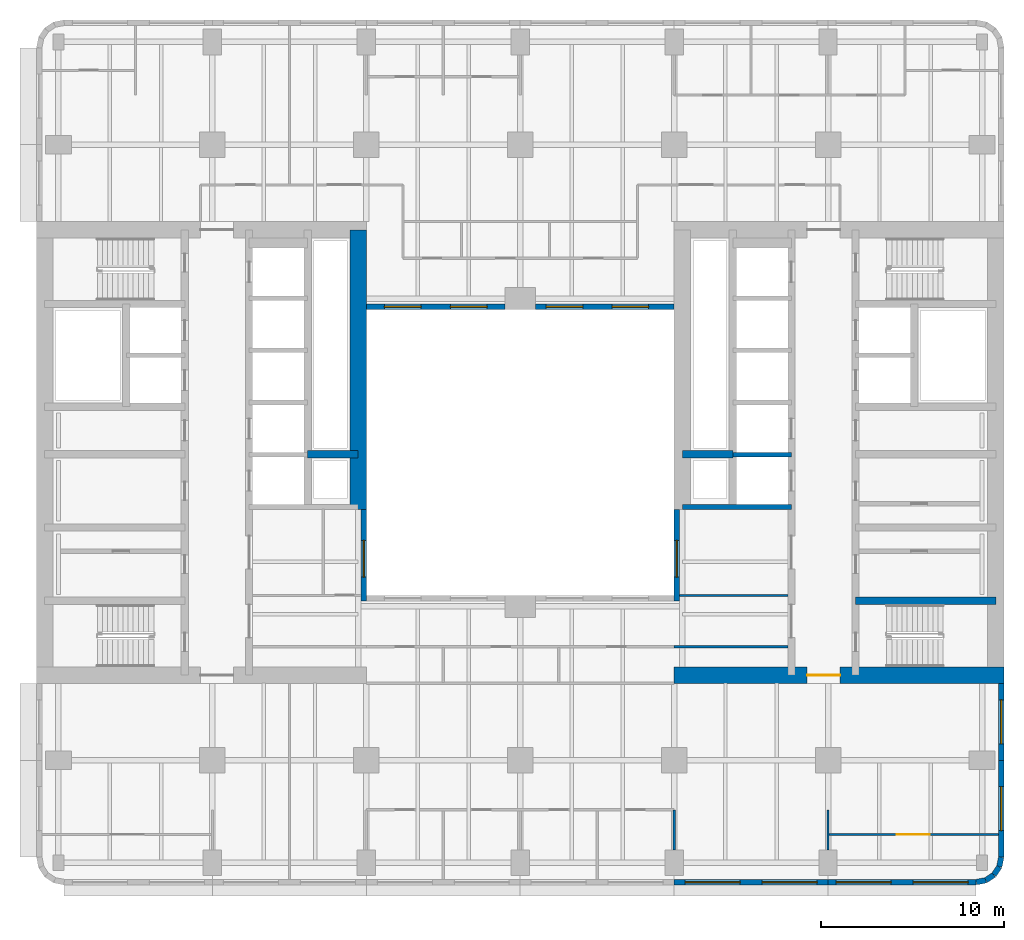
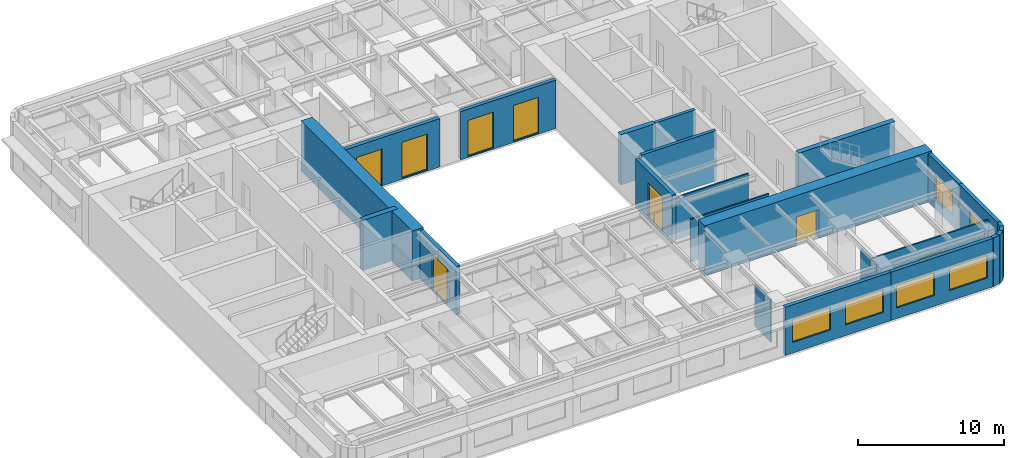
# One storey, part 5 of 11: 24 walls, 12 windows, 2 doors, 14 openings.
"""IFC4 building model written with IfcOpenShell, lengths in metres."""

from ifc_helpers import new_model, si_unit, direction, frame, frame_2d, origin, place, context, subcontext, project, spatial, rectangle, extrude, material, layer, layer_set, type_object, element, fill, save


model = new_model("IFC4")

# Units and contexts
model_context = context("Model", 3, precision=1e-05, world=origin(), true_north=direction((0.0, 1.0)))
body_context = subcontext(model_context, "Body", "Model", "MODEL_VIEW")
ifc_project = project(units=[si_unit("LENGTHUNIT", "METRE"), si_unit("AREAUNIT", "SQUARE_METRE"), si_unit("VOLUMEUNIT", "CUBIC_METRE"), si_unit("PLANEANGLEUNIT", "RADIAN"), si_unit("MASSUNIT", "GRAM", prefix="KILO")], contexts=[model_context])

# Site, building, storey
site_placement = place(None, origin())
site = spatial("IfcSite", under=ifc_project, at=site_placement, CompositionType="ELEMENT")
building_placement = place(site_placement, origin())
building = spatial("IfcBuilding", under=site, at=building_placement, Name="Claustro Exchange Tower", CompositionType="ELEMENT")
storey_placement = place(building_placement, frame((0.0, 0.0, 159.60009765625)))
storey = spatial("IfcBuildingStorey", under=building, at=storey_placement, Name="L36", CompositionType="ELEMENT", Elevation=159.60009765625)

# Walls
ifc_material_1 = material(Name="Laminated glass in aluminium frame", Category="aluminium")
ifc_layer_1 = layer(ifc_material_1, 0.1201171875)
ifc_layer_set_1 = layer_set([ifc_layer_1], Name="Laminated glass in aluminium frame")
wall_type_1 = type_object("IfcWallType", Name="P2 120 glazed partition", PredefinedType="PARTITIONING", material=ifc_layer_set_1)
wall_1_placement = place(storey_placement, frame((33.89794921875, 17.39990234375, 0.0), z_axis=(0.0, 0.0, 1.0), x_axis=(1.0, 0.0, 0.0)))
element("IfcWall", 1, at=wall_1_placement, inside=storey, type_object=wall_type_1, Name="Partition P2 L36", PredefinedType="PARTITIONING", context=body_context, shape_type="SweptSolid", body=[
    extrude(rectangle(XDim=5.904052734375, YDim=0.1201171875, at=frame_2d((2.9521484375, 0.0))), origin(), (0.0, 0.0, 1.0), 3.5498046875),
])
wall_2_placement = place(storey_placement, frame((33.60009765625, 3.4990234375, 0.0), z_axis=(0.0, 0.0, 1.0), x_axis=(0.0, 1.0, 0.0)))
element("IfcWall", 2, at=wall_2_placement, inside=storey, type_object=wall_type_1, Name="Partition P2 L36", PredefinedType="PARTITIONING", context=body_context, shape_type="SweptSolid", body=[
    extrude(rectangle(XDim=2.200927734375, YDim=0.1201171875, at=frame_2d((1.1005859375, 0.0))), origin(), (0.0, 0.0, 1.0), 3.5498046875),
])

# Wall, opening, door
wall_3_placement = place(storey_placement, frame((42.05810546875, 4.35009765625, 0.0), z_axis=(0.0, 0.0, 1.0), x_axis=(1.0, 0.0, 0.0)))
wall_3 = element("IfcWall", 3, at=wall_3_placement, inside=storey, type_object=wall_type_1, Name="Partition P2 L36", PredefinedType="PARTITIONING", context=body_context, shape_type="SweptSolid", body=[
    extrude(rectangle(XDim=9.243896484375, YDim=0.1201171875, at=frame_2d((4.6220703125, 0.0))), origin(), (0.0, 0.0, 1.0), 3.5498046875),
])
opening_1_placement = place(wall_3_placement, frame((3.69189453125, 0.0, 0.0)))
opening_1 = element("IfcOpeningElement", 4, at=opening_1_placement, cuts=wall_3, Name="Opening D2", PredefinedType="OPENING", context=body_context, shape_type="SweptSolid", body=[
    extrude(rectangle(XDim=1.800048828125, YDim=2.199951171875, at=frame_2d((0.89990234375, 1.10009765625))), frame((0.0, 0.070068359375, 0.0), z_axis=(0.0, -1.0, 0.0), x_axis=(1.0, 0.0, 0.0)), (0.0, 0.0, 1.0), 0.14013671875),
])
ifc_material_2 = material(Name="Timber door, oak veneer", Category="wood")
door_type_1 = type_object("IfcDoorType", Name="D2 1800 x 2200 double door", OperationType="DOUBLE_DOOR_SINGLE_SWING", PredefinedType="DOOR", material=ifc_material_2)
door_1_placement = place(opening_1_placement, frame((1.800048828125, 0.0, 0.0), z_axis=(0.0, 0.0, 1.0), x_axis=(-1.0, 0.0, 0.0)))
door_1 = element("IfcDoor", 5, at=door_1_placement, inside=storey, type_object=door_type_1, Name="Double door D2 L36", OperationType="DOUBLE_DOOR_SINGLE_SWING", OverallHeight=2.199951171875, OverallWidth=1.800048828125, PredefinedType="DOOR", context=body_context, shape_type="SweptSolid", body=[
    extrude(rectangle(XDim=1.800048828125, YDim=2.199951171875, at=frame_2d((0.89990234375, 1.10009765625))), frame((0.0, 0.02490234375, 0.0), z_axis=(0.0, -1.0, 0.0), x_axis=(1.0, 0.0, 0.0)), (0.0, 0.0, 1.0), 0.050048828125),
])
fill(opening_1, door_1)

# Walls
wall_4_placement = place(storey_placement, frame((42.0, 3.4990234375, 0.0), z_axis=(0.0, 0.0, 1.0), x_axis=(0.0, 1.0, 0.0)))
element("IfcWall", 6, at=wall_4_placement, inside=storey, type_object=wall_type_1, Name="Partition P2 L36", PredefinedType="PARTITIONING", context=body_context, shape_type="SweptSolid", body=[
    extrude(rectangle(XDim=2.200927734375, YDim=0.1201171875, at=frame_2d((1.1005859375, 0.0))), origin(), (0.0, 0.0, 1.0), 3.5498046875),
])
wall_5_placement = place(storey_placement, frame((33.597900390625, 14.60009765625, 0.0), z_axis=(0.0, 0.0, 1.0), x_axis=(1.0, 0.0, 0.0)))
element("IfcWall", 7, at=wall_5_placement, inside=storey, type_object=wall_type_1, Name="Partition P2 L36", PredefinedType="PARTITIONING", context=body_context, shape_type="SweptSolid", body=[
    extrude(rectangle(XDim=6.2041015625, YDim=0.1201171875, at=frame_2d((3.10205078125, 0.0))), origin(), (0.0, 0.0, 1.0), 3.5498046875),
])

# Wall, openings, windows
ifc_material_3 = material(Name="Concrete HA-40 (C40/50), precast, white cement, acid-etched", Category="concrete")
ifc_layer_2 = layer(ifc_material_3, 0.300048828125)
ifc_layer_set_2 = layer_set([ifc_layer_2], Name="Concrete HA-40 (C40/50), precast, white cement, acid-etched")
wall_type_2 = type_object("IfcWallType", Name="PC1 300 precast concrete pier panel", PredefinedType="SOLIDWALL", material=ifc_layer_set_2)
wall_6_placement = place(storey_placement, frame((50.085205078125, 1.75, 0.0), z_axis=(0.0, 0.0, 1.0), x_axis=(-1.0, 0.0, 0.0)))
wall_6 = element("IfcWall", 8, at=wall_6_placement, inside=storey, type_object=wall_type_2, Name="Precast pier panel PC1 L36", PredefinedType="SOLIDWALL", context=body_context, shape_type="SweptSolid", body=[
    extrude(rectangle(XDim=8.085205078125, YDim=0.300048828125, at=frame_2d((4.04248046875, 0.0))), origin(), (0.0, 0.0, 1.0), 4.0498046875),
])
opening_2_placement = place(wall_6_placement, frame((0.442626953125, 0.0, 0.89990234375)))
opening_2 = element("IfcOpeningElement", 9, at=opening_2_placement, cuts=wall_6, Name="Opening W1", PredefinedType="OPENING", context=body_context, shape_type="SweptSolid", body=[
    extrude(rectangle(XDim=3.0, YDim=1.89990234375, at=frame_2d((1.5, 0.949951171875))), frame((0.0, 0.159912109375, 0.0), z_axis=(0.0, -1.0, 0.0), x_axis=(1.0, 0.0, 0.0)), (0.0, 0.0, 1.0), 0.320068359375),
])
opening_3_placement = place(wall_6_placement, frame((4.642578125, 0.0, 0.89990234375)))
opening_3 = element("IfcOpeningElement", 10, at=opening_3_placement, cuts=wall_6, Name="Opening W1", PredefinedType="OPENING", context=body_context, shape_type="SweptSolid", body=[
    extrude(rectangle(XDim=3.0, YDim=1.89990234375, at=frame_2d((1.5, 0.949951171875))), frame((0.0, 0.159912109375, 0.0), z_axis=(0.0, -1.0, 0.0), x_axis=(1.0, 0.0, 0.0)), (0.0, 0.0, 1.0), 0.320068359375),
])
ifc_material_4 = material(Name="Aluminium frame, clear double glazing", Category="aluminium")
window_type_1 = type_object("IfcWindowType", Name="W1 3000 x 1900 window", PartitioningType="SINGLE_PANEL", PredefinedType="WINDOW", material=ifc_material_4)
window_1_placement = place(opening_2_placement, origin())
window_1 = element("IfcWindow", 11, at=window_1_placement, inside=storey, type_object=window_type_1, Name="Window W1 L36", OverallHeight=1.89990234375, OverallWidth=3.0, PartitioningType="SINGLE_PANEL", PredefinedType="WINDOW", context=body_context, shape_type="SweptSolid", body=[
    extrude(rectangle(XDim=3.0, YDim=1.89990234375, at=frame_2d((1.5, 0.949951171875))), frame((0.0, 0.030029296875, 0.0), z_axis=(0.0, -1.0, 0.0), x_axis=(1.0, 0.0, 0.0)), (0.0, 0.0, 1.0), 0.06005859375),
])
fill(opening_2, window_1)
window_2_placement = place(opening_3_placement, origin())
window_2 = element("IfcWindow", 12, at=window_2_placement, inside=storey, type_object=window_type_1, Name="Window W1 L36", OverallHeight=1.89990234375, OverallWidth=3.0, PartitioningType="SINGLE_PANEL", PredefinedType="WINDOW", context=body_context, shape_type="SweptSolid", body=[
    extrude(rectangle(XDim=3.0, YDim=1.89990234375, at=frame_2d((1.5, 0.949951171875))), frame((0.0, 0.030029296875, 0.0), z_axis=(0.0, -1.0, 0.0), x_axis=(1.0, 0.0, 0.0)), (0.0, 0.0, 1.0), 0.06005859375),
])
fill(opening_3, window_2)

wall_7_placement = place(storey_placement, frame((42.0, 1.75, 0.0), z_axis=(0.0, 0.0, 1.0), x_axis=(-1.0, 0.0, 0.0)))
wall_7 = element("IfcWall", 13, at=wall_7_placement, inside=storey, type_object=wall_type_2, Name="Precast pier panel PC1 L36", PredefinedType="SOLIDWALL", context=body_context, shape_type="SweptSolid", body=[
    extrude(rectangle(XDim=8.39990234375, YDim=0.300048828125, at=frame_2d((4.199951171875, 0.0))), origin(), (0.0, 0.0, 1.0), 4.0498046875),
])
opening_4_placement = place(wall_7_placement, frame((0.60009765625, 0.0, 0.89990234375)))
opening_4 = element("IfcOpeningElement", 14, at=opening_4_placement, cuts=wall_7, Name="Opening W1", PredefinedType="OPENING", context=body_context, shape_type="SweptSolid", body=[
    extrude(rectangle(XDim=3.0, YDim=1.89990234375, at=frame_2d((1.5, 0.949951171875))), frame((0.0, 0.159912109375, 0.0), z_axis=(0.0, -1.0, 0.0), x_axis=(1.0, 0.0, 0.0)), (0.0, 0.0, 1.0), 0.320068359375),
])
opening_5_placement = place(wall_7_placement, frame((4.800048828125, 0.0, 0.89990234375)))
opening_5 = element("IfcOpeningElement", 15, at=opening_5_placement, cuts=wall_7, Name="Opening W1", PredefinedType="OPENING", context=body_context, shape_type="SweptSolid", body=[
    extrude(rectangle(XDim=3.0, YDim=1.89990234375, at=frame_2d((1.5, 0.949951171875))), frame((0.0, 0.159912109375, 0.0), z_axis=(0.0, -1.0, 0.0), x_axis=(1.0, 0.0, 0.0)), (0.0, 0.0, 1.0), 0.320068359375),
])
window_3_placement = place(opening_4_placement, origin())
window_3 = element("IfcWindow", 16, at=window_3_placement, inside=storey, type_object=window_type_1, Name="Window W1 L36", OverallHeight=1.89990234375, OverallWidth=3.0, PartitioningType="SINGLE_PANEL", PredefinedType="WINDOW", context=body_context, shape_type="SweptSolid", body=[
    extrude(rectangle(XDim=3.0, YDim=1.89990234375, at=frame_2d((1.5, 0.949951171875))), frame((0.0, 0.030029296875, 0.0), z_axis=(0.0, -1.0, 0.0), x_axis=(1.0, 0.0, 0.0)), (0.0, 0.0, 1.0), 0.06005859375),
])
fill(opening_4, window_3)
window_4_placement = place(opening_5_placement, origin())
window_4 = element("IfcWindow", 17, at=window_4_placement, inside=storey, type_object=window_type_1, Name="Window W1 L36", OverallHeight=1.89990234375, OverallWidth=3.0, PartitioningType="SINGLE_PANEL", PredefinedType="WINDOW", context=body_context, shape_type="SweptSolid", body=[
    extrude(rectangle(XDim=3.0, YDim=1.89990234375, at=frame_2d((1.5, 0.949951171875))), frame((0.0, 0.030029296875, 0.0), z_axis=(0.0, -1.0, 0.0), x_axis=(1.0, 0.0, 0.0)), (0.0, 0.0, 1.0), 0.06005859375),
])
fill(opening_5, window_4)

# Wall, opening, window
wall_8_placement = place(storey_placement, frame((51.449951171875, 12.60009765625, 0.0), z_axis=(0.0, 0.0, 1.0), x_axis=(0.0, -1.0, 0.0)))
wall_8 = element("IfcWall", 18, at=wall_8_placement, inside=storey, type_object=wall_type_2, Name="Precast pier panel PC1 L36", PredefinedType="SOLIDWALL", context=body_context, shape_type="SweptSolid", body=[
    extrude(rectangle(XDim=4.2001953125, YDim=0.300048828125, at=frame_2d((2.10009765625, 0.0))), origin(), (0.0, 0.0, 1.0), 4.0498046875),
])
opening_6_placement = place(wall_8_placement, frame((0.89990234375, 0.0, 0.89990234375)))
opening_6 = element("IfcOpeningElement", 19, at=opening_6_placement, cuts=wall_8, Name="Opening W2", PredefinedType="OPENING", context=body_context, shape_type="SweptSolid", body=[
    extrude(rectangle(XDim=2.39990234375, YDim=1.89990234375, at=frame_2d((1.199951171875, 0.949951171875))), frame((0.0, 0.159912109375, 0.0), z_axis=(0.0, -1.0, 0.0), x_axis=(1.0, 0.0, 0.0)), (0.0, 0.0, 1.0), 0.320068359375),
])
ifc_material_5 = material(Name="Aluminium frame, clear double glazing", Category="aluminium")
window_type_2 = type_object("IfcWindowType", Name="W2 2400 x 1900 window", PartitioningType="SINGLE_PANEL", PredefinedType="WINDOW", material=ifc_material_5)
window_5_placement = place(opening_6_placement, origin())
window_5 = element("IfcWindow", 20, at=window_5_placement, inside=storey, type_object=window_type_2, Name="Window W2 L36", OverallHeight=1.89990234375, OverallWidth=2.39990234375, PartitioningType="SINGLE_PANEL", PredefinedType="WINDOW", context=body_context, shape_type="SweptSolid", body=[
    extrude(rectangle(XDim=2.39990234375, YDim=1.89990234375, at=frame_2d((1.199951171875, 0.949951171875))), frame((0.0, 0.030029296875, 0.0), z_axis=(0.0, -1.0, 0.0), x_axis=(1.0, 0.0, 0.0)), (0.0, 0.0, 1.0), 0.06005859375),
])
fill(opening_6, window_5)

wall_9_placement = place(storey_placement, frame((51.449951171875, 8.39990234375, 0.0), z_axis=(0.0, 0.0, 1.0), x_axis=(0.0, -1.0, 0.0)))
wall_9 = element("IfcWall", 21, at=wall_9_placement, inside=storey, type_object=wall_type_2, Name="Precast pier panel PC1 L36", PredefinedType="SOLIDWALL", context=body_context, shape_type="SweptSolid", body=[
    extrude(rectangle(XDim=5.28515625, YDim=0.300048828125, at=frame_2d((2.642578125, 0.0))), origin(), (0.0, 0.0, 1.0), 4.0498046875),
])
opening_7_placement = place(wall_9_placement, frame((1.442626953125, 0.0, 0.89990234375)))
opening_7 = element("IfcOpeningElement", 22, at=opening_7_placement, cuts=wall_9, Name="Opening W2", PredefinedType="OPENING", context=body_context, shape_type="SweptSolid", body=[
    extrude(rectangle(XDim=2.39990234375, YDim=1.89990234375, at=frame_2d((1.199951171875, 0.949951171875))), frame((0.0, 0.159912109375, 0.0), z_axis=(0.0, -1.0, 0.0), x_axis=(1.0, 0.0, 0.0)), (0.0, 0.0, 1.0), 0.320068359375),
])
window_6_placement = place(opening_7_placement, origin())
window_6 = element("IfcWindow", 23, at=window_6_placement, inside=storey, type_object=window_type_2, Name="Window W2 L36", OverallHeight=1.89990234375, OverallWidth=2.39990234375, PartitioningType="SINGLE_PANEL", PredefinedType="WINDOW", context=body_context, shape_type="SweptSolid", body=[
    extrude(rectangle(XDim=2.39990234375, YDim=1.89990234375, at=frame_2d((1.199951171875, 0.949951171875))), frame((0.0, 0.030029296875, 0.0), z_axis=(0.0, -1.0, 0.0), x_axis=(1.0, 0.0, 0.0)), (0.0, 0.0, 1.0), 0.06005859375),
])
fill(opening_7, window_6)

# Walls
wall_10_placement = place(storey_placement, frame((51.449951171875, 3.11474609375, 0.0), z_axis=(0.0, 0.0, 1.0), x_axis=(-0.195073962632, -0.980788534345, 0.0)))
element("IfcWall", 24, at=wall_10_placement, inside=storey, type_object=wall_type_2, Name="Precast pier panel PC1 L36", PredefinedType="SOLIDWALL", context=body_context, shape_type="SweptSolid", body=[
    extrude(rectangle(XDim=0.540771484375, YDim=0.300048828125, at=frame_2d((0.2705078125, 0.0))), origin(), (0.0, 0.0, 1.0), 4.0498046875),
])
for number, where, z_axis, x_axis, name in (
    (25, (51.344482421875, 2.58447265625, 0.0), (0.0, 0.0, 1.0), (-0.555557463938, -0.831478144188, 0.0), "Precast pier panel PC1 L36"),
    (26, (51.052490234375, 2.1474609375, 0.0), (0.0, 0.0, 1.0), (-0.831478144188, -0.555557463938, 0.0), "Precast pier panel PC1 L36"),
):
    element("IfcWall", number, at=place(storey_placement, frame(where, z_axis=z_axis, x_axis=x_axis)), inside=storey, type_object=wall_type_2, Name=name, PredefinedType="SOLIDWALL", context=body_context, shape_type="SweptSolid", body=[
        extrude(rectangle(XDim=0.525634765625, YDim=0.300048828125, at=frame_2d((0.2626953125, 0.0))), origin(), (0.0, 0.0, 1.0), 4.0498046875),
    ])
wall_11_placement = place(storey_placement, frame((50.615478515625, 1.85546875, 0.0), z_axis=(0.0, 0.0, 1.0), x_axis=(-0.980788534345, -0.195073962632, 0.0)))
element("IfcWall", 27, at=wall_11_placement, inside=storey, type_object=wall_type_2, Name="Precast pier panel PC1 L36", PredefinedType="SOLIDWALL", context=body_context, shape_type="SweptSolid", body=[
    extrude(rectangle(XDim=0.540771484375, YDim=0.300048828125, at=frame_2d((0.2705078125, 0.0))), origin(), (0.0, 0.0, 1.0), 4.0498046875),
])

# Wall, opening, window
wall_12_placement = place(storey_placement, frame((16.64990234375, 17.10009765625, 0.0), z_axis=(0.0, 0.0, 1.0), x_axis=(0.0, 1.0, 0.0)))
wall_12 = element("IfcWall", 28, at=wall_12_placement, inside=storey, type_object=wall_type_2, Name="Precast pier panel PC1 L36", PredefinedType="SOLIDWALL", context=body_context, shape_type="SweptSolid", body=[
    extrude(rectangle(XDim=5.0, YDim=0.300048828125, at=frame_2d((2.5, 0.0))), origin(), (0.0, 0.0, 1.0), 4.0498046875),
])
opening_8_placement = place(wall_12_placement, frame((1.300048828125, 0.0, 0.10009765625)))
opening_8 = element("IfcOpeningElement", 29, at=opening_8_placement, cuts=wall_12, Name="Opening W-A", PredefinedType="OPENING", context=body_context, shape_type="SweptSolid", body=[
    extrude(rectangle(XDim=2.0, YDim=3.0, at=frame_2d((1.0, 1.5))), frame((0.0, 0.159912109375, 0.0), z_axis=(0.0, -1.0, 0.0), x_axis=(1.0, 0.0, 0.0)), (0.0, 0.0, 1.0), 0.320068359375),
])
ifc_material_6 = material(Name="Aluminium frame, clear double glazing", Category="aluminium")
window_type_3 = type_object("IfcWindowType", Name="W-A 2000 x 3000 arcade window", PartitioningType="SINGLE_PANEL", PredefinedType="WINDOW", material=ifc_material_6)
window_7_placement = place(opening_8_placement, origin())
window_7 = element("IfcWindow", 30, at=window_7_placement, inside=storey, type_object=window_type_3, Name="Window W-A L36", OverallHeight=3.0, OverallWidth=2.0, PartitioningType="SINGLE_PANEL", PredefinedType="WINDOW", context=body_context, shape_type="SweptSolid", body=[
    extrude(rectangle(XDim=2.0, YDim=3.0, at=frame_2d((1.0, 1.5))), frame((0.0, 0.030029296875, 0.0), z_axis=(0.0, -1.0, 0.0), x_axis=(1.0, 0.0, 0.0)), (0.0, 0.0, 1.0), 0.06005859375),
])
fill(opening_8, window_7)

wall_13_placement = place(storey_placement, frame((33.75, 17.10009765625, 0.0), z_axis=(0.0, 0.0, 1.0), x_axis=(0.0, 1.0, 0.0)))
wall_13 = element("IfcWall", 31, at=wall_13_placement, inside=storey, type_object=wall_type_2, Name="Precast pier panel PC1 L36", PredefinedType="SOLIDWALL", context=body_context, shape_type="SweptSolid", body=[
    extrude(rectangle(XDim=5.0, YDim=0.300048828125, at=frame_2d((2.5, 0.0))), origin(), (0.0, 0.0, 1.0), 4.0498046875),
])
opening_9_placement = place(wall_13_placement, frame((1.300048828125, 0.0, 0.10009765625)))
opening_9 = element("IfcOpeningElement", 32, at=opening_9_placement, cuts=wall_13, Name="Opening W-A", PredefinedType="OPENING", context=body_context, shape_type="SweptSolid", body=[
    extrude(rectangle(XDim=2.0, YDim=3.0, at=frame_2d((1.0, 1.5))), frame((0.0, 0.159912109375, 0.0), z_axis=(0.0, -1.0, 0.0), x_axis=(1.0, 0.0, 0.0)), (0.0, 0.0, 1.0), 0.320068359375),
])
window_8_placement = place(opening_9_placement, origin())
window_8 = element("IfcWindow", 33, at=window_8_placement, inside=storey, type_object=window_type_3, Name="Window W-A L36", OverallHeight=3.0, OverallWidth=2.0, PartitioningType="SINGLE_PANEL", PredefinedType="WINDOW", context=body_context, shape_type="SweptSolid", body=[
    extrude(rectangle(XDim=2.0, YDim=3.0, at=frame_2d((1.0, 1.5))), frame((0.0, 0.030029296875, 0.0), z_axis=(0.0, -1.0, 0.0), x_axis=(1.0, 0.0, 0.0)), (0.0, 0.0, 1.0), 0.06005859375),
])
fill(opening_9, window_8)

# Wall, openings, windows
wall_14_placement = place(storey_placement, frame((16.800048828125, 33.14990234375, 0.0), z_axis=(0.0, 0.0, 1.0), x_axis=(1.0, 0.0, 0.0)))
wall_14 = element("IfcWall", 34, at=wall_14_placement, inside=storey, type_object=wall_type_2, Name="Precast pier panel PC1 L36", PredefinedType="SOLIDWALL", context=body_context, shape_type="SweptSolid", body=[
    extrude(rectangle(XDim=7.574951171875, YDim=0.300048828125, at=frame_2d((3.78759765625, 0.0))), origin(), (0.0, 0.0, 1.0), 4.0498046875),
])
opening_10_placement = place(wall_14_placement, frame((0.987548828125, 0.0, 0.10009765625)))
opening_10 = element("IfcOpeningElement", 35, at=opening_10_placement, cuts=wall_14, Name="Opening W-A", PredefinedType="OPENING", context=body_context, shape_type="SweptSolid", body=[
    extrude(rectangle(XDim=2.0, YDim=3.0, at=frame_2d((1.0, 1.5))), frame((0.0, 0.159912109375, 0.0), z_axis=(0.0, -1.0, 0.0), x_axis=(1.0, 0.0, 0.0)), (0.0, 0.0, 1.0), 0.320068359375),
])
opening_11_placement = place(wall_14_placement, frame((4.58740234375, 0.0, 0.10009765625)))
opening_11 = element("IfcOpeningElement", 36, at=opening_11_placement, cuts=wall_14, Name="Opening W-A", PredefinedType="OPENING", context=body_context, shape_type="SweptSolid", body=[
    extrude(rectangle(XDim=2.0, YDim=3.0, at=frame_2d((1.0, 1.5))), frame((0.0, 0.159912109375, 0.0), z_axis=(0.0, -1.0, 0.0), x_axis=(1.0, 0.0, 0.0)), (0.0, 0.0, 1.0), 0.320068359375),
])
window_9_placement = place(opening_10_placement, origin())
window_9 = element("IfcWindow", 37, at=window_9_placement, inside=storey, type_object=window_type_3, Name="Window W-A L36", OverallHeight=3.0, OverallWidth=2.0, PartitioningType="SINGLE_PANEL", PredefinedType="WINDOW", context=body_context, shape_type="SweptSolid", body=[
    extrude(rectangle(XDim=2.0, YDim=3.0, at=frame_2d((1.0, 1.5))), frame((0.0, 0.030029296875, 0.0), z_axis=(0.0, -1.0, 0.0), x_axis=(1.0, 0.0, 0.0)), (0.0, 0.0, 1.0), 0.06005859375),
])
fill(opening_10, window_9)
window_10_placement = place(opening_11_placement, origin())
window_10 = element("IfcWindow", 38, at=window_10_placement, inside=storey, type_object=window_type_3, Name="Window W-A L36", OverallHeight=3.0, OverallWidth=2.0, PartitioningType="SINGLE_PANEL", PredefinedType="WINDOW", context=body_context, shape_type="SweptSolid", body=[
    extrude(rectangle(XDim=2.0, YDim=3.0, at=frame_2d((1.0, 1.5))), frame((0.0, 0.030029296875, 0.0), z_axis=(0.0, -1.0, 0.0), x_axis=(1.0, 0.0, 0.0)), (0.0, 0.0, 1.0), 0.06005859375),
])
fill(opening_11, window_10)

wall_15_placement = place(storey_placement, frame((26.02490234375, 33.14990234375, 0.0), z_axis=(0.0, 0.0, 1.0), x_axis=(1.0, 0.0, 0.0)))
wall_15 = element("IfcWall", 39, at=wall_15_placement, inside=storey, type_object=wall_type_2, Name="Precast pier panel PC1 L36", PredefinedType="SOLIDWALL", context=body_context, shape_type="SweptSolid", body=[
    extrude(rectangle(XDim=7.5751953125, YDim=0.300048828125, at=frame_2d((3.78759765625, 0.0))), origin(), (0.0, 0.0, 1.0), 4.0498046875),
])
opening_12_placement = place(wall_15_placement, frame((0.58740234375, 0.0, 0.10009765625)))
opening_12 = element("IfcOpeningElement", 40, at=opening_12_placement, cuts=wall_15, Name="Opening W-A", PredefinedType="OPENING", context=body_context, shape_type="SweptSolid", body=[
    extrude(rectangle(XDim=2.0, YDim=3.0, at=frame_2d((1.0, 1.5))), frame((0.0, 0.159912109375, 0.0), z_axis=(0.0, -1.0, 0.0), x_axis=(1.0, 0.0, 0.0)), (0.0, 0.0, 1.0), 0.320068359375),
])
opening_13_placement = place(wall_15_placement, frame((4.1875, 0.0, 0.10009765625)))
opening_13 = element("IfcOpeningElement", 41, at=opening_13_placement, cuts=wall_15, Name="Opening W-A", PredefinedType="OPENING", context=body_context, shape_type="SweptSolid", body=[
    extrude(rectangle(XDim=2.0, YDim=3.0, at=frame_2d((1.0, 1.5))), frame((0.0, 0.159912109375, 0.0), z_axis=(0.0, -1.0, 0.0), x_axis=(1.0, 0.0, 0.0)), (0.0, 0.0, 1.0), 0.320068359375),
])
window_11_placement = place(opening_12_placement, origin())
window_11 = element("IfcWindow", 42, at=window_11_placement, inside=storey, type_object=window_type_3, Name="Window W-A L36", OverallHeight=3.0, OverallWidth=2.0, PartitioningType="SINGLE_PANEL", PredefinedType="WINDOW", context=body_context, shape_type="SweptSolid", body=[
    extrude(rectangle(XDim=2.0, YDim=3.0, at=frame_2d((1.0, 1.5))), frame((0.0, 0.030029296875, 0.0), z_axis=(0.0, -1.0, 0.0), x_axis=(1.0, 0.0, 0.0)), (0.0, 0.0, 1.0), 0.06005859375),
])
fill(opening_12, window_11)
window_12_placement = place(opening_13_placement, origin())
window_12 = element("IfcWindow", 43, at=window_12_placement, inside=storey, type_object=window_type_3, Name="Window W-A L36", OverallHeight=3.0, OverallWidth=2.0, PartitioningType="SINGLE_PANEL", PredefinedType="WINDOW", context=body_context, shape_type="SweptSolid", body=[
    extrude(rectangle(XDim=2.0, YDim=3.0, at=frame_2d((1.0, 1.5))), frame((0.0, 0.030029296875, 0.0), z_axis=(0.0, -1.0, 0.0), x_axis=(1.0, 0.0, 0.0)), (0.0, 0.0, 1.0), 0.06005859375),
])
fill(opening_13, window_12)

# Wall, opening, door
ifc_material_7 = material(Name="Concrete HA-70 (C70/85)", Category="concrete")
ifc_layer_3 = layer(ifc_material_7, 0.89990234375)
ifc_layer_set_3 = layer_set([ifc_layer_3], Name="Concrete HA-70 (C70/85)")
wall_type_3 = type_object("IfcWallType", Name="SW1 900 core shear wall", PredefinedType="SHEAR", material=ifc_layer_set_3)
wall_16_placement = place(storey_placement, frame((33.60009765625, 13.050048828125, 0.0), z_axis=(0.0, 0.0, 1.0), x_axis=(1.0, 0.0, 0.0)))
wall_16 = element("IfcWall", 44, at=wall_16_placement, inside=storey, type_object=wall_type_3, Name="Core wall SW1 E core S face L36", PredefinedType="SHEAR", context=body_context, shape_type="SweptSolid", body=[
    extrude(rectangle(XDim=18.0, YDim=0.89990234375, at=frame_2d((9.0, 0.0))), origin(), (0.0, 0.0, 1.0), 4.199951171875),
])
opening_14_placement = place(wall_16_placement, frame((7.25, 0.0, 0.0)))
opening_14 = element("IfcOpeningElement", 45, at=opening_14_placement, cuts=wall_16, Name="Opening D3", PredefinedType="OPENING", context=body_context, shape_type="SweptSolid", body=[
    extrude(rectangle(XDim=1.800048828125, YDim=2.39990234375, at=frame_2d((0.89990234375, 1.199951171875))), frame((0.0, 0.4599609375, 0.0), z_axis=(0.0, -1.0, 0.0), x_axis=(1.0, 0.0, 0.0)), (0.0, 0.0, 1.0), 0.919921875),
])
ifc_material_8 = material(Name="Steel fire door, painted", Category="steel")
door_type_2 = type_object("IfcDoorType", Name="D3 1800 x 2400 fire-rated lobby double door", OperationType="DOUBLE_DOOR_SINGLE_SWING", PredefinedType="DOOR", material=ifc_material_8)
door_2_placement = place(opening_14_placement, frame((1.800048828125, 0.0, 0.0), z_axis=(0.0, 0.0, 1.0), x_axis=(-1.0, 0.0, 0.0)))
door_2 = element("IfcDoor", 46, at=door_2_placement, inside=storey, type_object=door_type_2, Name="Lift lobby door D3 L36", OperationType="DOUBLE_DOOR_SINGLE_SWING", OverallHeight=2.39990234375, OverallWidth=1.800048828125, PredefinedType="DOOR", context=body_context, shape_type="SweptSolid", body=[
    extrude(rectangle(XDim=1.800048828125, YDim=2.39990234375, at=frame_2d((0.89990234375, 1.199951171875))), frame((0.0, 0.02490234375, 0.0), z_axis=(0.0, -1.0, 0.0), x_axis=(1.0, 0.0, 0.0)), (0.0, 0.0, 1.0), 0.050048828125),
])
fill(opening_14, door_2)

# Walls
ifc_material_9 = material(Name="Concrete HA-70 (C70/85)", Category="concrete")
ifc_layer_4 = layer(ifc_material_9, 0.89990234375)
ifc_layer_set_4 = layer_set([ifc_layer_4], Name="Concrete HA-70 (C70/85)")
wall_type_4 = type_object("IfcWallType", Name="SW1X 900 exposed core shear wall, board-marked face", PredefinedType="SHEAR", material=ifc_layer_set_4)
wall_17_placement = place(storey_placement, frame((16.35009765625, 22.10009765625, 0.0), z_axis=(0.0, 0.0, 1.0), x_axis=(0.0, 1.0, 0.0)))
element("IfcWall", 47, at=wall_17_placement, inside=storey, type_object=wall_type_4, Name="Core wall SW1X W core E face L36", PredefinedType="SHEAR", context=body_context, shape_type="SweptSolid", body=[
    extrude(rectangle(XDim=15.25, YDim=0.89990234375, at=frame_2d((7.625, 0.0))), origin(), (0.0, 0.0, 1.0), 4.199951171875),
])
ifc_material_10 = material(Name="Concrete HA-50 (C50/60)", Category="concrete")
ifc_layer_5 = layer(ifc_material_10, 0.39990234375)
ifc_layer_set_5 = layer_set([ifc_layer_5], Name="Concrete HA-50 (C50/60)")
wall_type_5 = type_object("IfcWallType", Name="SW4 400 internal core wall", PredefinedType="SHEAR", material=ifc_layer_set_5)
wall_18_placement = place(storey_placement, frame((13.60009765625, 25.10009765625, 0.0), z_axis=(0.0, 0.0, 1.0), x_axis=(1.0, 0.0, 0.0)))
element("IfcWall", 48, at=wall_18_placement, inside=storey, type_object=wall_type_5, Name="Internal core wall SW4 W core L36", PredefinedType="SHEAR", context=body_context, shape_type="SweptSolid", body=[
    extrude(rectangle(XDim=2.75, YDim=0.39990234375, at=frame_2d((1.375, 0.0))), origin(), (0.0, 0.0, 1.0), 4.199951171875),
])
wall_19_placement = place(storey_placement, frame((51.14990234375, 17.10009765625, 0.0), z_axis=(0.0, 0.0, 1.0), x_axis=(-1.0, 0.0, 0.0)))
element("IfcWall", 49, at=wall_19_placement, inside=storey, type_object=wall_type_5, Name="Internal core wall SW4 E core L36", PredefinedType="SHEAR", context=body_context, shape_type="SweptSolid", body=[
    extrude(rectangle(XDim=7.64990234375, YDim=0.39990234375, at=frame_2d((3.824951171875, 0.0))), origin(), (0.0, 0.0, 1.0), 4.199951171875),
])
wall_20_placement = place(storey_placement, frame((36.800048828125, 25.10009765625, 0.0), z_axis=(0.0, 0.0, 1.0), x_axis=(-1.0, 0.0, 0.0)))
element("IfcWall", 50, at=wall_20_placement, inside=storey, type_object=wall_type_5, Name="Internal core wall SW4 E core L36", PredefinedType="SHEAR", context=body_context, shape_type="SweptSolid", body=[
    extrude(rectangle(XDim=2.75, YDim=0.39990234375, at=frame_2d((1.375, 0.0))), origin(), (0.0, 0.0, 1.0), 4.199951171875),
])
ifc_material_11 = material(Name="Concrete HA-50 (C50/60)", Category="concrete")
ifc_layer_6 = layer(ifc_material_11, 0.25)
ifc_layer_set_6 = layer_set([ifc_layer_6], Name="Concrete HA-50 (C50/60)")
wall_type_6 = type_object("IfcWallType", Name="SW5 250 lift shaft divider wall", PredefinedType="SHEAR", material=ifc_layer_set_6)
wall_21_placement = place(storey_placement, frame((40.0, 22.22509765625, 0.0), z_axis=(0.0, 0.0, 1.0), x_axis=(-1.0, 0.0, 0.0)))
element("IfcWall", 51, at=wall_21_placement, inside=storey, type_object=wall_type_6, Name="Core step wall E core L36", PredefinedType="SHEAR", context=body_context, shape_type="SweptSolid", body=[
    extrude(rectangle(XDim=5.949951171875, YDim=0.25, at=frame_2d((2.97509765625, 0.0))), origin(), (0.0, 0.0, 1.0), 4.199951171875),
])
wall_22_placement = place(storey_placement, frame((40.0, 25.074951171875, 0.0), z_axis=(0.0, 0.0, 1.0), x_axis=(-1.0, 0.0, 0.0)))
element("IfcWall", 52, at=wall_22_placement, inside=storey, type_object=wall_type_6, Name="Lift shaft wall E core L36", PredefinedType="SHEAR", context=body_context, shape_type="SweptSolid", body=[
    extrude(rectangle(XDim=3.199951171875, YDim=0.25, at=frame_2d((1.60009765625, 0.0))), origin(), (0.0, 0.0, 1.0), 4.199951171875),
])

save(model, "model.ifc")
